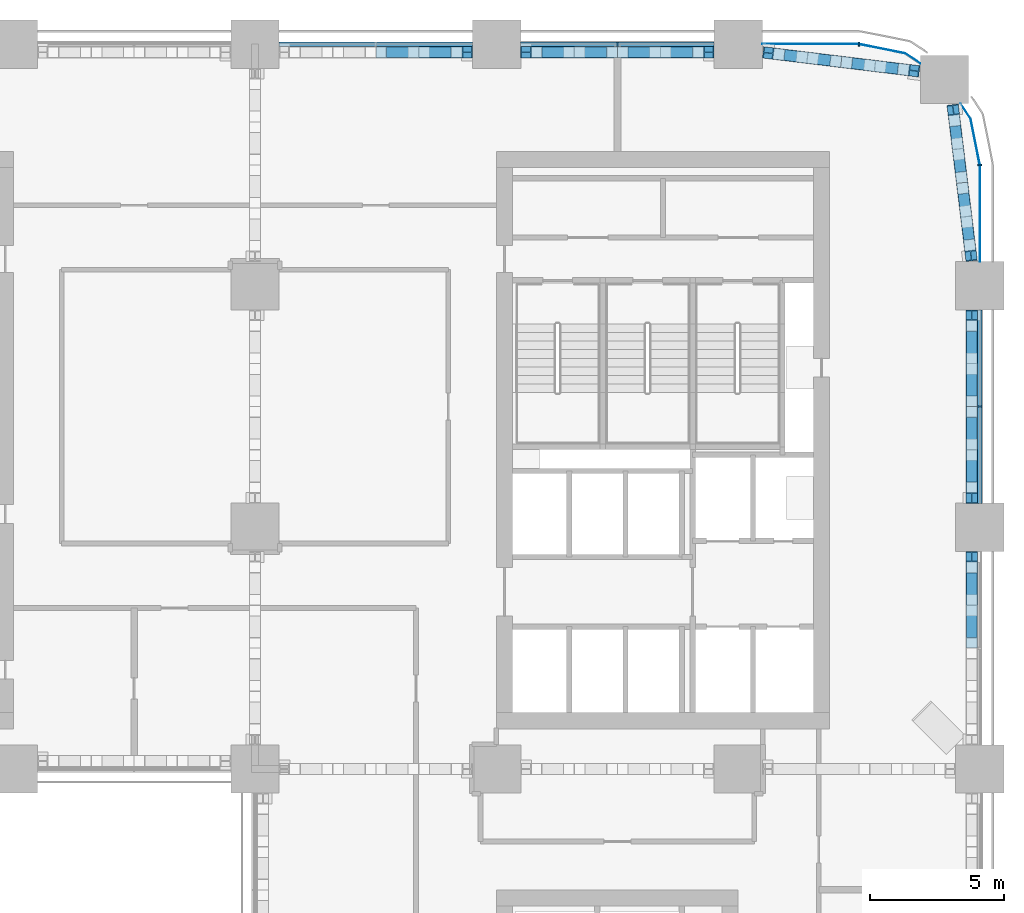
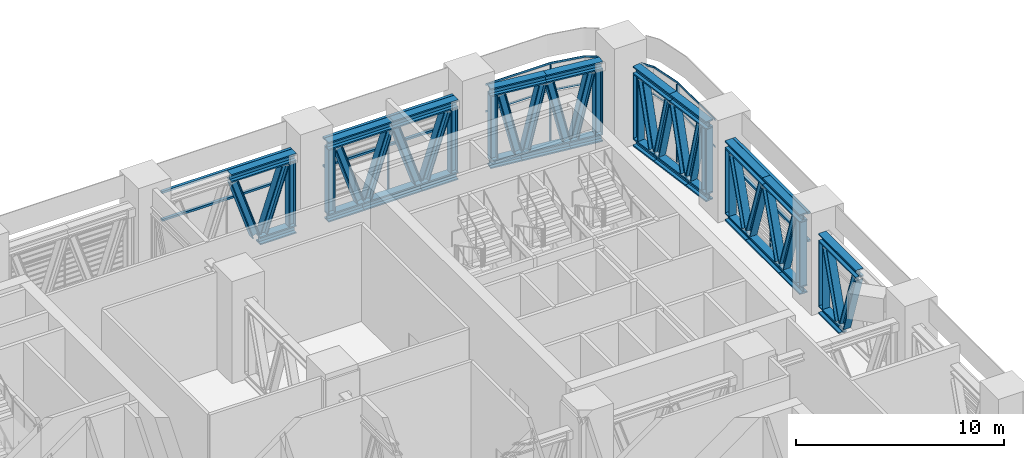
# One storey, part 9 of 24: 68 members, 5 elements without a shape of their own.
"""IFC4 building model written with IfcOpenShell, lengths in metres."""

from ifc_helpers import new_model, si_unit, direction, frame, origin, origin_2d, place, context, subcontext, project, spatial, polyline, rectangle, i_section, outline, extrude, material, material_profile, profile_set, type_object, element, aggregate, save


model = new_model("IFC4")

# Units and contexts
model_context = context("Model", 3, precision=1e-05, world=origin(), true_north=direction((0.0, 1.0)))
body_context = subcontext(model_context, "Body", "Model", "MODEL_VIEW")
ifc_project = project(units=[si_unit("LENGTHUNIT", "METRE"), si_unit("AREAUNIT", "SQUARE_METRE"), si_unit("VOLUMEUNIT", "CUBIC_METRE"), si_unit("PLANEANGLEUNIT", "RADIAN"), si_unit("MASSUNIT", "GRAM", prefix="KILO")], contexts=[model_context])

# Site, building, storey
site_placement = place(None, origin())
site = spatial("IfcSite", under=ifc_project, at=site_placement, CompositionType="ELEMENT")
building_placement = place(site_placement, origin())
building = spatial("IfcBuilding", under=site, at=building_placement, Name="Tessera Arch", CompositionType="ELEMENT")
storey_placement = place(building_placement, frame((0.0, 0.0, 123.39990234375)))
storey = spatial("IfcBuildingStorey", under=building, at=storey_placement, Name="L29", CompositionType="ELEMENT", Elevation=123.39990234375)

# Curtain wall, member
ifc_material_1 = material(Name="CW7 curtain wall")
curtain_wall_type = type_object("IfcCurtainWallType", Name="CW7 curtain wall", PredefinedType="NOTDEFINED", material=ifc_material_1)
curtain_wall_1_placement = place(storey_placement, origin())
curtain_wall_1 = element("IfcCurtainWall", 1, at=curtain_wall_1_placement, inside=storey, type_object=curtain_wall_type, Name="CW7 curtain wall N54.0/0 L29", PredefinedType="NOTDEFINED")
ifc_material_2 = material(Name="Anodised aluminium pale metal", Category="aluminium")
ifc_material_profile_1 = material_profile(ifc_material_2, rectangle(XDim=0.159912109375, YDim=0.06005859375, at=origin_2d()), Name="AL 60x160")
ifc_profile_set_1 = profile_set([ifc_material_profile_1], Name="Anodised aluminium pale metal")
member_type_1 = type_object("IfcMemberType", Name="CW7 mullion", PredefinedType="MULLION", material=ifc_profile_set_1)
member_1_placement = place(storey_placement, frame((40.5, 54.0, 0.0), z_axis=(0.0, 0.0, 1.0), x_axis=(0.0, -1.0, 0.0)))
member_1 = element("IfcMember", 2, at=member_1_placement, type_object=member_type_1, Name="CW7 mullion N54.0/0 1", PredefinedType="MULLION", context=body_context, shape_type="SweptSolid", body=[
    extrude(rectangle(XDim=0.159912109375, YDim=0.06005859375, at=origin_2d()), origin(), (0.0, 0.0, 1.0), 4.580078125),
])

curtain_wall_2_placement = place(storey_placement, origin())
curtain_wall_2 = element("IfcCurtainWall", 3, at=curtain_wall_2_placement, inside=storey, type_object=curtain_wall_type, Name="CW7 curtain wall E54.0/4 L29", PredefinedType="NOTDEFINED")
member_2_placement = place(storey_placement, frame((54.0, 40.5, 0.0), z_axis=(0.0, 0.0, 1.0), x_axis=(-1.0, 0.0, 0.0)))
member_2 = element("IfcMember", 4, at=member_2_placement, type_object=member_type_1, Name="CW7 mullion E54.0/4 1", PredefinedType="MULLION", context=body_context, shape_type="SweptSolid", body=[
    extrude(rectangle(XDim=0.159912109375, YDim=0.06005859375, at=origin_2d()), origin(), (0.0, 0.0, 1.0), 4.580078125),
])

curtain_wall_3_placement = place(storey_placement, origin())
curtain_wall_3 = element("IfcCurtainWall", 5, at=curtain_wall_3_placement, inside=storey, type_object=curtain_wall_type, Name="CW7 curtain wall E54.0/5 L29", PredefinedType="NOTDEFINED")
member_3_placement = place(storey_placement, frame((54.0, 49.5, 0.0), z_axis=(0.0, 0.0, 1.0), x_axis=(-1.0, 0.0, 0.0)))
member_3 = element("IfcMember", 6, at=member_3_placement, type_object=member_type_1, Name="CW7 mullion E54.0/5 1", PredefinedType="MULLION", context=body_context, shape_type="SweptSolid", body=[
    extrude(rectangle(XDim=0.159912109375, YDim=0.06005859375, at=origin_2d()), origin(), (0.0, 0.0, 1.0), 4.580078125),
])

curtain_wall_4_placement = place(storey_placement, origin())
curtain_wall_4 = element("IfcCurtainWall", 7, at=curtain_wall_4_placement, inside=storey, type_object=curtain_wall_type, Name="CW7 curtain wall N54.0/5 L29", PredefinedType="NOTDEFINED")
member_4_placement = place(storey_placement, frame((49.5, 54.0, 0.0), z_axis=(0.0, 0.0, 1.0), x_axis=(0.0, -1.0, 0.0)))
member_4 = element("IfcMember", 8, at=member_4_placement, type_object=member_type_1, Name="CW7 mullion N54.0/5 1", PredefinedType="MULLION", context=body_context, shape_type="SweptSolid", body=[
    extrude(rectangle(XDim=0.159912109375, YDim=0.06005859375, at=origin_2d()), origin(), (0.0, 0.0, 1.0), 4.580078125),
])

# Member
ifc_material_3 = material(Name="Anodised aluminium pale metal", Category="aluminium")
ifc_material_profile_2 = material_profile(ifc_material_3, rectangle(XDim=0.159912109375, YDim=0.1201171875, at=origin_2d()), Name="AL 160x120")
ifc_profile_set_2 = profile_set([ifc_material_profile_2], Name="Anodised aluminium pale metal")
member_type_2 = type_object("IfcMemberType", Name="CW7 transom", PredefinedType="USERDEFINED", material=ifc_profile_set_2)
member_5_placement = place(storey_placement, frame((44.10009765625, 54.0, 4.64013671875), z_axis=(-1.0, 0.0, 0.0), x_axis=(0.0, -1.0, 0.0)))
member_5 = element("IfcMember", 9, at=member_5_placement, type_object=member_type_2, Name="CW7 transom N54.0/0 1.1", ObjectType="TRANSOM", PredefinedType="USERDEFINED", context=body_context, shape_type="SweptSolid", body=[
    extrude(rectangle(XDim=0.159912109375, YDim=0.1201171875, at=origin_2d()), origin(), (0.0, 0.0, 1.0), 7.2001953125),
])

member_6_placement = place(storey_placement, frame((44.10009765625, 54.0, 3.0), z_axis=(-1.0, 0.0, 0.0), x_axis=(0.0, -1.0, 0.0)))
member_6 = element("IfcMember", 10, at=member_6_placement, type_object=member_type_2, Name="CW7 transom N54.0/0 2.1", ObjectType="TRANSOM", PredefinedType="USERDEFINED", context=body_context, shape_type="SweptSolid", body=[
    extrude(rectangle(XDim=0.159912109375, YDim=0.1201171875, at=origin_2d()), origin(), (0.0, 0.0, 1.0), 7.2001953125),
])

aggregate(curtain_wall_1, [member_1, member_5, member_6])

# Curtain wall, members
curtain_wall_5_placement = place(storey_placement, origin())
curtain_wall_5 = element("IfcCurtainWall", 11, at=curtain_wall_5_placement, inside=storey, type_object=curtain_wall_type, Name="CW7 curtain wall N54.0/1 L29", PredefinedType="NOTDEFINED")
member_7_placement = place(storey_placement, frame((35.10009765625, 54.0, 4.64013671875), z_axis=(-1.0, 0.0, 0.0), x_axis=(0.0, -1.0, 0.0)))
member_7 = element("IfcMember", 12, at=member_7_placement, type_object=member_type_2, Name="CW7 transom N54.0/1 1.1", ObjectType="TRANSOM", PredefinedType="USERDEFINED", context=body_context, shape_type="SweptSolid", body=[
    extrude(rectangle(XDim=0.159912109375, YDim=0.1201171875, at=origin_2d()), origin(), (0.0, 0.0, 1.0), 7.2001953125),
])
member_8_placement = place(storey_placement, frame((35.10009765625, 54.0, 3.0), z_axis=(-1.0, 0.0, 0.0), x_axis=(0.0, -1.0, 0.0)))
member_8 = element("IfcMember", 13, at=member_8_placement, type_object=member_type_2, Name="CW7 transom N54.0/1 2.1", ObjectType="TRANSOM", PredefinedType="USERDEFINED", context=body_context, shape_type="SweptSolid", body=[
    extrude(rectangle(XDim=0.159912109375, YDim=0.1201171875, at=origin_2d()), origin(), (0.0, 0.0, 1.0), 7.2001953125),
])
aggregate(curtain_wall_5, [member_7, member_8])

# Member
member_9_placement = place(storey_placement, frame((54.0, 36.89990234375, 4.64013671875), z_axis=(0.0, 1.0, 0.0), x_axis=(-1.0, 0.0, 0.0)))
member_9 = element("IfcMember", 14, at=member_9_placement, type_object=member_type_2, Name="CW7 transom E54.0/4 1.1", ObjectType="TRANSOM", PredefinedType="USERDEFINED", context=body_context, shape_type="SweptSolid", body=[
    extrude(rectangle(XDim=0.159912109375, YDim=0.1201171875, at=origin_2d()), origin(), (0.0, 0.0, 1.0), 7.2001953125),
])

member_10_placement = place(storey_placement, frame((54.0, 36.89990234375, 3.0), z_axis=(0.0, 1.0, 0.0), x_axis=(-1.0, 0.0, 0.0)))
member_10 = element("IfcMember", 15, at=member_10_placement, type_object=member_type_2, Name="CW7 transom E54.0/4 2.1", ObjectType="TRANSOM", PredefinedType="USERDEFINED", context=body_context, shape_type="SweptSolid", body=[
    extrude(rectangle(XDim=0.159912109375, YDim=0.1201171875, at=origin_2d()), origin(), (0.0, 0.0, 1.0), 7.2001953125),
])

aggregate(curtain_wall_2, [member_2, member_9, member_10])

member_11_placement = place(storey_placement, frame((0.0, 0.0, 3.0)))
member_11 = element("IfcMember", 16, at=member_11_placement, type_object=member_type_2, Name="CW7 transom E54.0/5 1", ObjectType="TRANSOM", PredefinedType="USERDEFINED", context=body_context, shape_type="SweptSolid", body=[
    extrude(outline(polyline([(53.989990234375, 49.4990234375), (53.989990234375, 45.89990234375), (54.010009765625, 45.89990234375), (54.010009765625, 49.5009765625), (53.6669921875, 51.22607421875), (53.29150390625, 51.78759765625), (53.27490234375, 51.7763671875), (53.648193359375, 51.21826171875), (53.989990234375, 49.4990234375)])), origin(), (0.0, 0.0, 1.0), 0.1201171875),
])

member_12_placement = place(storey_placement, frame((0.0, 0.0, 4.580078125)))
member_12 = element("IfcMember", 17, at=member_12_placement, type_object=member_type_2, Name="CW7 transom E54.0/5 2", ObjectType="TRANSOM", PredefinedType="USERDEFINED", context=body_context, shape_type="SweptSolid", body=[
    extrude(outline(polyline([(53.989990234375, 49.4990234375), (53.989990234375, 45.89990234375), (54.010009765625, 45.89990234375), (54.010009765625, 49.5009765625), (53.6669921875, 51.22607421875), (53.29150390625, 51.78759765625), (53.27490234375, 51.7763671875), (53.648193359375, 51.21826171875), (53.989990234375, 49.4990234375)])), origin(), (0.0, 0.0, 1.0), 0.1201171875),
])

aggregate(curtain_wall_3, [member_3, member_11, member_12])

member_13_placement = place(storey_placement, frame((0.0, 0.0, 3.0)))
member_13 = element("IfcMember", 18, at=member_13_placement, type_object=member_type_2, Name="CW7 transom N54.0/5 1", ObjectType="TRANSOM", PredefinedType="USERDEFINED", context=body_context, shape_type="SweptSolid", body=[
    extrude(outline(polyline([(51.21826171875, 53.648193359375), (51.7763671875, 53.27490234375), (51.78759765625, 53.29150390625), (51.22607421875, 53.6669921875), (49.5009765625, 54.010009765625), (45.89990234375, 54.010009765625), (45.89990234375, 53.989990234375), (49.4990234375, 53.989990234375), (51.21826171875, 53.648193359375)])), origin(), (0.0, 0.0, 1.0), 0.1201171875),
])

member_14_placement = place(storey_placement, frame((0.0, 0.0, 4.580078125)))
member_14 = element("IfcMember", 19, at=member_14_placement, type_object=member_type_2, Name="CW7 transom N54.0/5 2", ObjectType="TRANSOM", PredefinedType="USERDEFINED", context=body_context, shape_type="SweptSolid", body=[
    extrude(outline(polyline([(51.21826171875, 53.648193359375), (51.7763671875, 53.27490234375), (51.78759765625, 53.29150390625), (51.22607421875, 53.6669921875), (49.5009765625, 54.010009765625), (45.89990234375, 54.010009765625), (45.89990234375, 53.989990234375), (49.4990234375, 53.989990234375), (51.21826171875, 53.648193359375)])), origin(), (0.0, 0.0, 1.0), 0.1201171875),
])

aggregate(curtain_wall_4, [member_4, member_13, member_14])

# Members
ifc_material_4 = material(Name="Steel A992 Gr50", Category="steel")
ifc_material_profile_3 = material_profile(ifc_material_4, i_section(OverallWidth=0.424072265625, OverallDepth=0.47412109375, WebThickness=0.047607421875, FlangeThickness=0.0771484375, at=origin_2d()), Name="W14x426")
ifc_profile_set_3 = profile_set([ifc_material_profile_3], Name="Steel A992 Gr50")
member_type_3 = type_object("IfcMemberType", Name="Truss chord W14x426", PredefinedType="CHORD", material=ifc_profile_set_3)
for number, where, z_axis, x_axis, name in (
    (20, (44.10009765625, 53.699951171875, 4.462890625), (-1.0, 0.0, 0.0), (0.0, -1.0, 0.0), "Belt truss top chord 1"),
    (21, (40.5, 53.699951171875, 4.462890625), (-1.0, 0.0, 0.0), (0.0, -1.0, 0.0), "Belt truss top chord 2"),
):
    element("IfcMember", number, at=place(storey_placement, frame(where, z_axis=z_axis, x_axis=x_axis)), inside=storey, type_object=member_type_3, Name=name, PredefinedType="CHORD", context=body_context, shape_type="SweptSolid", body=[
        extrude(i_section(OverallWidth=0.424072265625, OverallDepth=0.47412109375, WebThickness=0.047607421875, FlangeThickness=0.0771484375, at=origin_2d()), origin(), (0.0, 0.0, 1.0), 3.60009765625),
    ])
member_15_placement = place(storey_placement, frame((44.10009765625, 53.699951171875, 0.2373046875), z_axis=(-1.0, 0.0, 0.0), x_axis=(0.0, -1.0, 0.0)))
element("IfcMember", 22, at=member_15_placement, inside=storey, type_object=member_type_3, Name="Belt truss bottom chord 1", PredefinedType="CHORD", context=body_context, shape_type="SweptSolid", body=[
    extrude(i_section(OverallWidth=0.424072265625, OverallDepth=0.47412109375, WebThickness=0.047607421875, FlangeThickness=0.0771484375, at=origin_2d()), origin(), (0.0, 0.0, 1.0), 1.996826171875),
])
member_16_placement = place(storey_placement, frame((42.103271484375, 53.699951171875, 0.2373046875), z_axis=(-1.0, 0.0, 0.0), x_axis=(0.0, -1.0, 0.0)))
element("IfcMember", 23, at=member_16_placement, inside=storey, type_object=member_type_3, Name="Belt truss bottom chord 2", PredefinedType="CHORD", context=body_context, shape_type="SweptSolid", body=[
    extrude(i_section(OverallWidth=0.424072265625, OverallDepth=0.47412109375, WebThickness=0.047607421875, FlangeThickness=0.0771484375, at=origin_2d()), origin(), (0.0, 0.0, 1.0), 3.20654296875),
])
member_17_placement = place(storey_placement, frame((38.896728515625, 53.699951171875, 0.2373046875), z_axis=(-1.0, 0.0, 0.0), x_axis=(0.0, -1.0, 0.0)))
element("IfcMember", 24, at=member_17_placement, inside=storey, type_object=member_type_3, Name="Belt truss bottom chord 3", PredefinedType="CHORD", context=body_context, shape_type="SweptSolid", body=[
    extrude(i_section(OverallWidth=0.424072265625, OverallDepth=0.47412109375, WebThickness=0.047607421875, FlangeThickness=0.0771484375, at=origin_2d()), origin(), (0.0, 0.0, 1.0), 1.996826171875),
])
member_18_placement = place(storey_placement, frame((35.10009765625, 53.699951171875, 4.462890625), z_axis=(-1.0, 0.0, 0.0), x_axis=(0.0, -1.0, 0.0)))
element("IfcMember", 25, at=member_18_placement, inside=storey, type_object=member_type_3, Name="Belt truss top chord 1", PredefinedType="CHORD", context=body_context, shape_type="SweptSolid", body=[
    extrude(i_section(OverallWidth=0.424072265625, OverallDepth=0.47412109375, WebThickness=0.047607421875, FlangeThickness=0.0771484375, at=origin_2d()), origin(), (0.0, 0.0, 1.0), 3.60009765625),
])
member_19_placement = place(storey_placement, frame((35.10009765625, 53.699951171875, 0.2373046875), z_axis=(-1.0, 0.0, 0.0), x_axis=(0.0, -1.0, 0.0)))
element("IfcMember", 26, at=member_19_placement, inside=storey, type_object=member_type_3, Name="Belt truss bottom chord 1", PredefinedType="CHORD", context=body_context, shape_type="SweptSolid", body=[
    extrude(i_section(OverallWidth=0.424072265625, OverallDepth=0.47412109375, WebThickness=0.047607421875, FlangeThickness=0.0771484375, at=origin_2d()), origin(), (0.0, 0.0, 1.0), 1.996826171875),
])
member_20_placement = place(storey_placement, frame((53.699951171875, 31.5, 4.462890625), z_axis=(0.0, 1.0, 0.0), x_axis=(-1.0, 0.0, 0.0)))
element("IfcMember", 27, at=member_20_placement, inside=storey, type_object=member_type_3, Name="Belt truss top chord 2", PredefinedType="CHORD", context=body_context, shape_type="SweptSolid", body=[
    extrude(i_section(OverallWidth=0.424072265625, OverallDepth=0.47412109375, WebThickness=0.047607421875, FlangeThickness=0.0771484375, at=origin_2d()), origin(), (0.0, 0.0, 1.0), 3.60009765625),
])
member_21_placement = place(storey_placement, frame((53.699951171875, 33.103271484375, 0.2373046875), z_axis=(0.0, 1.0, 0.0), x_axis=(-1.0, 0.0, 0.0)))
element("IfcMember", 28, at=member_21_placement, inside=storey, type_object=member_type_3, Name="Belt truss bottom chord 3", PredefinedType="CHORD", context=body_context, shape_type="SweptSolid", body=[
    extrude(i_section(OverallWidth=0.424072265625, OverallDepth=0.47412109375, WebThickness=0.047607421875, FlangeThickness=0.0771484375, at=origin_2d()), origin(), (0.0, 0.0, 1.0), 1.996826171875),
])
for number, where, z_axis, x_axis, name in (
    (29, (53.699951171875, 36.89990234375, 4.462890625), (0.0, 1.0, 0.0), (-1.0, 0.0, 0.0), "Belt truss top chord 1"),
    (30, (53.699951171875, 40.5, 4.462890625), (0.0, 1.0, 0.0), (-1.0, 0.0, 0.0), "Belt truss top chord 2"),
):
    element("IfcMember", number, at=place(storey_placement, frame(where, z_axis=z_axis, x_axis=x_axis)), inside=storey, type_object=member_type_3, Name=name, PredefinedType="CHORD", context=body_context, shape_type="SweptSolid", body=[
        extrude(i_section(OverallWidth=0.424072265625, OverallDepth=0.47412109375, WebThickness=0.047607421875, FlangeThickness=0.0771484375, at=origin_2d()), origin(), (0.0, 0.0, 1.0), 3.60009765625),
    ])
member_22_placement = place(storey_placement, frame((53.699951171875, 36.89990234375, 0.2373046875), z_axis=(0.0, 1.0, 0.0), x_axis=(-1.0, 0.0, 0.0)))
element("IfcMember", 31, at=member_22_placement, inside=storey, type_object=member_type_3, Name="Belt truss bottom chord 1", PredefinedType="CHORD", context=body_context, shape_type="SweptSolid", body=[
    extrude(i_section(OverallWidth=0.424072265625, OverallDepth=0.47412109375, WebThickness=0.047607421875, FlangeThickness=0.0771484375, at=origin_2d()), origin(), (0.0, 0.0, 1.0), 1.996826171875),
])
member_23_placement = place(storey_placement, frame((53.699951171875, 38.896728515625, 0.2373046875), z_axis=(0.0, 1.0, 0.0), x_axis=(-1.0, 0.0, 0.0)))
element("IfcMember", 32, at=member_23_placement, inside=storey, type_object=member_type_3, Name="Belt truss bottom chord 2", PredefinedType="CHORD", context=body_context, shape_type="SweptSolid", body=[
    extrude(i_section(OverallWidth=0.424072265625, OverallDepth=0.47412109375, WebThickness=0.047607421875, FlangeThickness=0.0771484375, at=origin_2d()), origin(), (0.0, 0.0, 1.0), 3.20654296875),
])
member_24_placement = place(storey_placement, frame((53.699951171875, 42.103271484375, 0.2373046875), z_axis=(0.0, 1.0, 0.0), x_axis=(-1.0, 0.0, 0.0)))
element("IfcMember", 33, at=member_24_placement, inside=storey, type_object=member_type_3, Name="Belt truss bottom chord 3", PredefinedType="CHORD", context=body_context, shape_type="SweptSolid", body=[
    extrude(i_section(OverallWidth=0.424072265625, OverallDepth=0.47412109375, WebThickness=0.047607421875, FlangeThickness=0.0771484375, at=origin_2d()), origin(), (0.0, 0.0, 1.0), 1.996826171875),
])
member_25_placement = place(storey_placement, frame((53.694580078125, 45.925537109375, 4.462890625), z_axis=(-0.120918280139, 0.992662465055, 0.0), x_axis=(-0.992662465055, -0.120918280139, 0.0)))
element("IfcMember", 34, at=member_25_placement, inside=storey, type_object=member_type_3, Name="Belt truss top chord 1", PredefinedType="CHORD", context=body_context, shape_type="SweptSolid", body=[
    extrude(i_section(OverallWidth=0.424072265625, OverallDepth=0.47412109375, WebThickness=0.047607421875, FlangeThickness=0.0771484375, at=origin_2d()), origin(), (0.0, 0.0, 1.0), 2.931640625),
])
member_26_placement = place(storey_placement, frame((53.340087890625, 48.835693359375, 4.462890625), z_axis=(-0.12092827679, 0.992661247291, 0.0), x_axis=(-0.992661247291, -0.12092827679, 0.0)))
element("IfcMember", 35, at=member_26_placement, inside=storey, type_object=member_type_3, Name="Belt truss top chord 2", PredefinedType="CHORD", context=body_context, shape_type="SweptSolid", body=[
    extrude(i_section(OverallWidth=0.424072265625, OverallDepth=0.47412109375, WebThickness=0.047607421875, FlangeThickness=0.0771484375, at=origin_2d()), origin(), (0.0, 0.0, 1.0), 2.931396484375),
])
member_27_placement = place(storey_placement, frame((53.694580078125, 45.925537109375, 0.2373046875), z_axis=(-0.120853214479, 0.992670388674, 0.0), x_axis=(-0.992670388674, -0.120853214479, 0.0)))
element("IfcMember", 36, at=member_27_placement, inside=storey, type_object=member_type_3, Name="Belt truss bottom chord 1", PredefinedType="CHORD", context=body_context, shape_type="SweptSolid", body=[
    extrude(i_section(OverallWidth=0.424072265625, OverallDepth=0.47412109375, WebThickness=0.047607421875, FlangeThickness=0.0771484375, at=origin_2d()), origin(), (0.0, 0.0, 1.0), 1.66259765625),
])
member_28_placement = place(storey_placement, frame((53.49365234375, 47.575927734375, 0.2373046875), z_axis=(-0.121015073404, 0.992650669676, 0.0), x_axis=(-0.992650669676, -0.121015073404, 0.0)))
element("IfcMember", 37, at=member_28_placement, inside=storey, type_object=member_type_3, Name="Belt truss bottom chord 2", PredefinedType="CHORD", context=body_context, shape_type="SweptSolid", body=[
    extrude(i_section(OverallWidth=0.424072265625, OverallDepth=0.47412109375, WebThickness=0.047607421875, FlangeThickness=0.0771484375, at=origin_2d()), origin(), (0.0, 0.0, 1.0), 2.537841796875),
])
member_29_placement = place(storey_placement, frame((53.1865234375, 50.09521484375, 0.2373046875), z_axis=(-0.120853214479, 0.992670388674, 0.0), x_axis=(-0.992670388674, -0.120853214479, 0.0)))
element("IfcMember", 38, at=member_29_placement, inside=storey, type_object=member_type_3, Name="Belt truss bottom chord 3", PredefinedType="CHORD", context=body_context, shape_type="SweptSolid", body=[
    extrude(i_section(OverallWidth=0.424072265625, OverallDepth=0.47412109375, WebThickness=0.047607421875, FlangeThickness=0.0771484375, at=origin_2d()), origin(), (0.0, 0.0, 1.0), 1.66259765625),
])
member_30_placement = place(storey_placement, frame((51.74560546875, 52.985595703125, 4.462890625), z_axis=(-0.992661247291, 0.12092827679, 0.0), x_axis=(-0.12092827679, -0.992661247291, 0.0)))
element("IfcMember", 39, at=member_30_placement, inside=storey, type_object=member_type_3, Name="Belt truss top chord 1", PredefinedType="CHORD", context=body_context, shape_type="SweptSolid", body=[
    extrude(i_section(OverallWidth=0.424072265625, OverallDepth=0.47412109375, WebThickness=0.047607421875, FlangeThickness=0.0771484375, at=origin_2d()), origin(), (0.0, 0.0, 1.0), 2.931396484375),
])
member_31_placement = place(storey_placement, frame((48.835693359375, 53.340087890625, 4.462890625), z_axis=(-0.992662465055, 0.120918280139, 0.0), x_axis=(-0.120918280139, -0.992662465055, 0.0)))
element("IfcMember", 40, at=member_31_placement, inside=storey, type_object=member_type_3, Name="Belt truss top chord 2", PredefinedType="CHORD", context=body_context, shape_type="SweptSolid", body=[
    extrude(i_section(OverallWidth=0.424072265625, OverallDepth=0.47412109375, WebThickness=0.047607421875, FlangeThickness=0.0771484375, at=origin_2d()), origin(), (0.0, 0.0, 1.0), 2.931640625),
])
member_32_placement = place(storey_placement, frame((51.74560546875, 52.985595703125, 0.2373046875), z_axis=(-0.992670388674, 0.120853214479, 0.0), x_axis=(-0.120853214479, -0.992670388674, 0.0)))
element("IfcMember", 41, at=member_32_placement, inside=storey, type_object=member_type_3, Name="Belt truss bottom chord 1", PredefinedType="CHORD", context=body_context, shape_type="SweptSolid", body=[
    extrude(i_section(OverallWidth=0.424072265625, OverallDepth=0.47412109375, WebThickness=0.047607421875, FlangeThickness=0.0771484375, at=origin_2d()), origin(), (0.0, 0.0, 1.0), 1.66259765625),
])
member_33_placement = place(storey_placement, frame((50.09521484375, 53.1865234375, 0.2373046875), z_axis=(-0.992650669676, 0.121015073404, 0.0), x_axis=(-0.121015073404, -0.992650669676, 0.0)))
element("IfcMember", 42, at=member_33_placement, inside=storey, type_object=member_type_3, Name="Belt truss bottom chord 2", PredefinedType="CHORD", context=body_context, shape_type="SweptSolid", body=[
    extrude(i_section(OverallWidth=0.424072265625, OverallDepth=0.47412109375, WebThickness=0.047607421875, FlangeThickness=0.0771484375, at=origin_2d()), origin(), (0.0, 0.0, 1.0), 2.537841796875),
])
member_34_placement = place(storey_placement, frame((47.575927734375, 53.49365234375, 0.2373046875), z_axis=(-0.992670388674, 0.120853214479, 0.0), x_axis=(-0.120853214479, -0.992670388674, 0.0)))
element("IfcMember", 43, at=member_34_placement, inside=storey, type_object=member_type_3, Name="Belt truss bottom chord 3", PredefinedType="CHORD", context=body_context, shape_type="SweptSolid", body=[
    extrude(i_section(OverallWidth=0.424072265625, OverallDepth=0.47412109375, WebThickness=0.047607421875, FlangeThickness=0.0771484375, at=origin_2d()), origin(), (0.0, 0.0, 1.0), 1.66259765625),
])
ifc_material_5 = material(Name="Steel A992 Gr50", Category="steel")
ifc_material_profile_4 = material_profile(ifc_material_5, i_section(OverallWidth=0.406494140625, OverallDepth=0.41650390625, WebThickness=0.030029296875, FlangeThickness=0.048095703125, at=origin_2d()), Name="W14x257")
ifc_profile_set_4 = profile_set([ifc_material_profile_4], Name="Steel A992 Gr50")
member_type_4 = type_object("IfcMemberType", Name="Truss diagonal W14x257", PredefinedType="BRACE", material=ifc_profile_set_4)
for number, where, z_axis, x_axis, name in (
    (44, (43.5029296875, 53.699951171875, 4.142822265625), (-0.316557157585, 0.0, -0.948573437316), (0.0, -1.0, 0.0), "Belt truss diagonal 1"),
    (45, (41.89990234375, 53.699951171875, 0.557373046875), (-0.316557157585, 0.0, 0.948573437316), (0.0, -1.0, 0.0), "Belt truss diagonal 2"),
    (46, (40.296630859375, 53.699951171875, 4.142822265625), (-0.316557157585, 0.0, -0.948573437316), (0.0, -1.0, 0.0), "Belt truss diagonal 3"),
    (47, (38.693603515625, 53.699951171875, 0.557373046875), (-0.316557157585, 0.0, 0.948573437316), (0.0, -1.0, 0.0), "Belt truss diagonal 4"),
    (48, (34.5029296875, 53.699951171875, 4.142822265625), (-0.316557157585, 0.0, -0.948573437316), (0.0, -1.0, 0.0), "Belt truss diagonal 1"),
    (49, (32.89990234375, 53.699951171875, 0.557373046875), (-0.316557157585, 0.0, 0.948573437316), (0.0, -1.0, 0.0), "Belt truss diagonal 2"),
    (50, (53.699951171875, 31.703369140625, 4.142822265625), (0.0, 0.316557157585, -0.948573437316), (-1.0, 0.0, 0.0), "Belt truss diagonal 3"),
    (51, (53.699951171875, 33.306396484375, 0.557373046875), (0.0, 0.316557157585, 0.948573437316), (-1.0, 0.0, 0.0), "Belt truss diagonal 4"),
    (52, (53.699951171875, 37.4970703125, 4.142822265625), (0.0, 0.316557157585, -0.948573437316), (-1.0, 0.0, 0.0), "Belt truss diagonal 1"),
    (53, (53.699951171875, 39.10009765625, 0.557373046875), (0.0, 0.316557157585, 0.948573437316), (-1.0, 0.0, 0.0), "Belt truss diagonal 2"),
    (54, (53.699951171875, 40.703369140625, 4.142822265625), (0.0, 0.316557157585, -0.948573437316), (-1.0, 0.0, 0.0), "Belt truss diagonal 3"),
    (55, (53.699951171875, 42.306396484375, 0.557373046875), (0.0, 0.316557157585, 0.948573437316), (-1.0, 0.0, 0.0), "Belt truss diagonal 4"),
):
    element("IfcMember", number, at=place(storey_placement, frame(where, z_axis=z_axis, x_axis=x_axis)), inside=storey, type_object=member_type_4, Name=name, PredefinedType="BRACE", context=body_context, shape_type="SweptSolid", body=[
        extrude(i_section(OverallWidth=0.406494140625, OverallDepth=0.41650390625, WebThickness=0.030029296875, FlangeThickness=0.048095703125, at=origin_2d()), origin(), (0.0, 0.0, 1.0), 3.77978515625),
    ])
for number, where, z_axis, x_axis, name in (
    (56, (53.6220703125, 46.521728515625, 4.160400390625), (-0.027825080377, 0.228178784129, -0.973221561298), (-0.992646714248, -0.121047514191, 0.0), "Belt truss diagonal 1"),
    (57, (53.468505859375, 47.78125, 0.539794921875), (-0.027824663666, 0.228240991109, 0.973206986242), (-0.992650895605, -0.121013220166, 0.0), "Belt truss diagonal 2"),
    (58, (53.315185546875, 49.041015625, 4.160400390625), (-0.027825080377, 0.228178784129, -0.973221561298), (-0.992646714248, -0.121047514191, 0.0), "Belt truss diagonal 3"),
    (59, (53.16162109375, 50.300537109375, 0.539794921875), (-0.027824663666, 0.228240991109, 0.973206986242), (-0.992650895605, -0.121013220166, 0.0), "Belt truss diagonal 4"),
    (60, (51.149658203125, 53.05810546875, 4.160400390625), (-0.228240991109, 0.027824663666, -0.973206986242), (-0.121013220166, -0.992650895605, 0.0), "Belt truss diagonal 1"),
    (61, (49.889892578125, 53.211669921875, 0.539794921875), (-0.228178784129, 0.027825080377, 0.973221561298), (-0.121047514191, -0.992646714248, 0.0), "Belt truss diagonal 2"),
    (62, (48.63037109375, 53.364990234375, 4.160400390625), (-0.228240991109, 0.027824663666, -0.973206986242), (-0.121013220166, -0.992650895605, 0.0), "Belt truss diagonal 3"),
    (63, (47.37060546875, 53.5185546875, 0.539794921875), (-0.228178784129, 0.027825080377, 0.973221561298), (-0.121047514191, -0.992646714248, 0.0), "Belt truss diagonal 4"),
):
    element("IfcMember", number, at=place(storey_placement, frame(where, z_axis=z_axis, x_axis=x_axis)), inside=storey, type_object=member_type_4, Name=name, PredefinedType="BRACE", context=body_context, shape_type="SweptSolid", body=[
        extrude(i_section(OverallWidth=0.406494140625, OverallDepth=0.41650390625, WebThickness=0.030029296875, FlangeThickness=0.048095703125, at=origin_2d()), origin(), (0.0, 0.0, 1.0), 3.72021484375),
    ])
ifc_material_6 = material(Name="Steel A992 Gr50", Category="steel")
ifc_material_profile_5 = material_profile(ifc_material_6, i_section(OverallWidth=0.398681640625, OverallDepth=0.393798828125, WebThickness=0.022705078125, FlangeThickness=0.03662109375, at=origin_2d()), Name="W14x193")
ifc_profile_set_5 = profile_set([ifc_material_profile_5], Name="Steel A992 Gr50")
member_type_5 = type_object("IfcMemberType", Name="Truss post W14x193", PredefinedType="POST", material=ifc_profile_set_5)
for number, where, z_axis, x_axis, name in (
    (64, (43.903076171875, 53.699951171875, 0.474365234375), (0.0, 0.0, 1.0), (0.0, 1.0, 0.0), "Belt truss end post 1"),
    (65, (37.096923828125, 53.699951171875, 0.474365234375), (0.0, 0.0, 1.0), (0.0, 1.0, 0.0), "Belt truss end post 2"),
    (66, (34.903076171875, 53.699951171875, 0.474365234375), (0.0, 0.0, 1.0), (0.0, 1.0, 0.0), "Belt truss end post 1"),
    (67, (53.699951171875, 34.903076171875, 0.474365234375), (0.0, 0.0, 1.0), (1.0, 0.0, 0.0), "Belt truss end post 2"),
    (68, (53.699951171875, 37.096923828125, 0.474365234375), (0.0, 0.0, 1.0), (1.0, 0.0, 0.0), "Belt truss end post 1"),
    (69, (53.699951171875, 43.903076171875, 0.474365234375), (0.0, 0.0, 1.0), (1.0, 0.0, 0.0), "Belt truss end post 2"),
    (70, (53.6708984375, 46.12109375, 0.474365234375), (0.0, 0.0, 1.0), (0.992658385962, 0.120951762202, 0.0), "Belt truss end post 1"),
    (71, (53.00927734375, 51.55029296875, 0.474365234375), (0.0, 0.0, 1.0), (0.992658385962, 0.120951762202, 0.0), "Belt truss end post 2"),
    (72, (51.55029296875, 53.00927734375, 0.474365234375), (0.0, 0.0, 1.0), (0.120951762202, 0.992658385962, 0.0), "Belt truss end post 1"),
    (73, (46.12109375, 53.6708984375, 0.474365234375), (0.0, 0.0, 1.0), (0.120951762202, 0.992658385962, 0.0), "Belt truss end post 2"),
):
    element("IfcMember", number, at=place(storey_placement, frame(where, z_axis=z_axis, x_axis=x_axis)), inside=storey, type_object=member_type_5, Name=name, PredefinedType="POST", context=body_context, shape_type="SweptSolid", body=[
        extrude(i_section(OverallWidth=0.398681640625, OverallDepth=0.393798828125, WebThickness=0.022705078125, FlangeThickness=0.03662109375, at=origin_2d()), origin(), (0.0, 0.0, 1.0), 3.75146484375),
    ])

save(model, "model.ifc")
